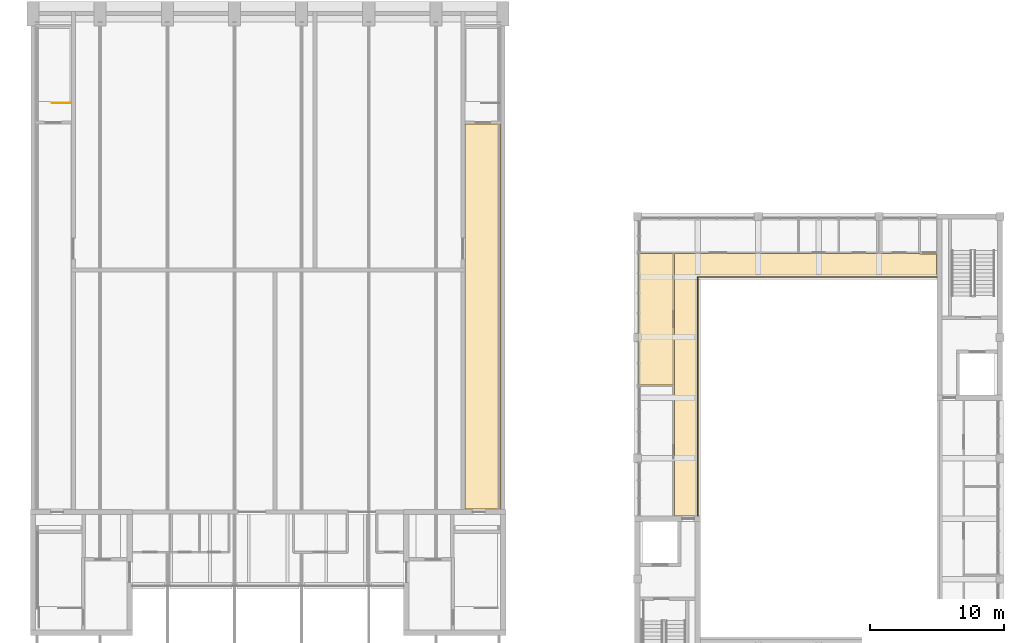
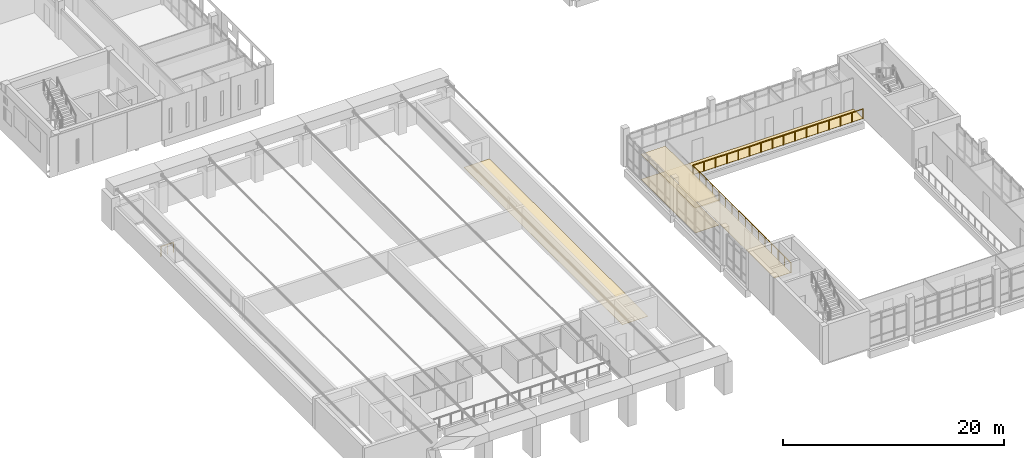
# One storey, part 71 of 92: 4 coverings, 2 railings.
"""IFC4 building model written with IfcOpenShell, lengths in metres."""

from ifc_helpers import new_model, si_unit, direction, frame, origin, origin_2d, place, context, subcontext, project, spatial, polyline, circle, outline, extrude, material, layer, layer_set, type_object, element, save


model = new_model("IFC4")

# Units and contexts
model_context = context("Model", 3, precision=1e-05, world=origin(), true_north=direction((0.0, 1.0)))
body_context = subcontext(model_context, "Body", "Model", "MODEL_VIEW")
ifc_project = project(units=[si_unit("LENGTHUNIT", "METRE"), si_unit("AREAUNIT", "SQUARE_METRE"), si_unit("VOLUMEUNIT", "CUBIC_METRE"), si_unit("PLANEANGLEUNIT", "RADIAN"), si_unit("MASSUNIT", "GRAM", prefix="KILO")], contexts=[model_context])

# Site, building, storey
site_placement = place(None, origin())
site = spatial("IfcSite", under=ifc_project, at=site_placement, CompositionType="ELEMENT")
building_placement = place(site_placement, origin())
building = spatial("IfcBuilding", under=site, at=building_placement, Name="Merrow Basin Faculty of Sciences", CompositionType="ELEMENT")
storey_placement = place(building_placement, frame((0.0, 0.0, 4.5)))
storey = spatial("IfcBuildingStorey", under=building, at=storey_placement, Name="L01", CompositionType="ELEMENT", Elevation=4.5)

# Coverings
ifc_material_1 = material(Name="Carpet tile floor")
ifc_layer_1 = layer(ifc_material_1, 0.02001953125)
ifc_layer_set_1 = layer_set([ifc_layer_1], Name="Carpet tile floor")
covering_type_1 = type_object("IfcCoveringType", Name="Carpet tile floor", PredefinedType="FLOORING", material=ifc_layer_set_1)
covering_1_placement = place(storey_placement, origin())
element("IfcCovering", 1, at=covering_1_placement, inside=storey, type_object=covering_type_1, Name="Floor finish L01-A-019", PredefinedType="FLOORING", context=body_context, shape_type="SweptSolid", body=[
    extrude(outline(polyline([(47.639892578125, 23.4599609375), (45.110107421875, 23.4599609375), (45.110107421875, 33.239990234375), (47.639892578125, 33.239990234375), (47.639892578125, 23.4599609375)])), origin(), (0.0, 0.0, 1.0), 0.02001953125),
])
covering_2_placement = place(storey_placement, origin())
element("IfcCovering", 2, at=covering_2_placement, inside=storey, type_object=covering_type_1, Name="Floor finish L01-A-020", PredefinedType="FLOORING", context=body_context, shape_type="SweptSolid", body=[
    extrude(outline(polyline([(49.489990234375, 31.510009765625), (49.489990234375, 13.7099609375), (47.760009765625, 13.7099609375), (47.760009765625, 33.239990234375), (65.989990234375, 33.239990234375), (65.989990234375, 33.215087890625), (67.2900390625, 33.215087890625), (67.2900390625, 31.510009765625), (49.489990234375, 31.510009765625)])), origin(), (0.0, 0.0, 1.0), 0.02001953125),
])
ifc_material_2 = material(Name="Polished terrazzo floor")
ifc_layer_2 = layer(ifc_material_2, 0.02001953125)
ifc_layer_set_2 = layer_set([ifc_layer_2], Name="Polished terrazzo floor")
covering_type_2 = type_object("IfcCoveringType", Name="Polished terrazzo floor", PredefinedType="FLOORING", material=ifc_layer_set_2)
covering_3_placement = place(storey_placement, origin())
element("IfcCovering", 3, at=covering_3_placement, inside=storey, type_object=covering_type_2, Name="Floor finish L01-H-011", PredefinedType="FLOORING", context=body_context, shape_type="SweptSolid", body=[
    extrude(outline(polyline([(34.840087890625, 42.889892578125), (34.840087890625, 14.2099609375), (32.159912109375, 14.2099609375), (32.159912109375, 42.889892578125), (34.840087890625, 42.889892578125)])), origin(), (0.0, 0.0, 1.0), 0.02001953125),
])

# Railings
ifc_material_3 = material(Name="Steel ASTM A36", Category="steel")
railing_type = type_object("IfcRailingType", Name="Steel guard 1100", PredefinedType="GUARDRAIL", material=ifc_material_3)
railing_1_placement = place(storey_placement, frame((2.75, 44.449951171875, 0.0)))
element("IfcRailing", 4, at=railing_1_placement, inside=storey, type_object=railing_type, Name="L01 ST-V1-NW top well guard 1", PredefinedType="GUARDRAIL", context=body_context, shape_type="SweptSolid", body=[
    extrude(circle(Radius=0.02392578125, at=origin_2d()), frame((0.0, 0.0, 1.076171875), z_axis=(-1.0, 0.0, 0.0), x_axis=(0.0, -1.0, 0.0)), (0.0, 0.0, 1.0), 1.35009765625),
    extrude(circle(Radius=0.02099609375, at=origin_2d()), origin(), (0.0, 0.0, 1.0), 1.052001953125),
    extrude(circle(Radius=0.02099609375, at=origin_2d()), frame((-0.675048828125, 0.0, 0.0)), (0.0, 0.0, 1.0), 1.052001953125),
    extrude(circle(Radius=0.02099609375, at=origin_2d()), frame((-1.35009765625, 0.0, 0.0)), (0.0, 0.0, 1.0), 1.052001953125),
])
railing_2_placement = place(storey_placement, frame((49.5, 13.699951171875, 0.0)))
element("IfcRailing", 5, at=railing_2_placement, inside=storey, type_object=railing_type, Name="Gallery guard L01", PredefinedType="GUARDRAIL", context=body_context, shape_type="SweptSolid", body=[
    extrude(circle(Radius=0.02392578125, at=origin_2d()), frame((0.0, 0.0, 1.076171875), z_axis=(0.0, 1.0, 0.0), x_axis=(-1.0, 0.0, 0.0)), (0.0, 0.0, 1.0), 17.800048828125),
    extrude(circle(Radius=0.02392578125, at=origin_2d()), frame((0.0, 17.800048828125, 1.076171875), z_axis=(1.0, 0.0, 0.0), x_axis=(0.0, 1.0, 0.0)), (0.0, 0.0, 1.0), 17.800048828125),
    extrude(circle(Radius=0.02099609375, at=origin_2d()), origin(), (0.0, 0.0, 1.0), 1.052001953125),
    extrude(circle(Radius=0.02099609375, at=origin_2d()), frame((0.0, 1.186767578125, 0.0)), (0.0, 0.0, 1.0), 1.052001953125),
    extrude(circle(Radius=0.02099609375, at=origin_2d()), frame((0.0, 2.373291015625, 0.0)), (0.0, 0.0, 1.0), 1.052001953125),
    extrude(circle(Radius=0.02099609375, at=origin_2d()), frame((0.0, 3.56005859375, 0.0)), (0.0, 0.0, 1.0), 1.052001953125),
    extrude(circle(Radius=0.02099609375, at=origin_2d()), frame((0.0, 4.74658203125, 0.0)), (0.0, 0.0, 1.0), 1.052001953125),
    extrude(circle(Radius=0.02099609375, at=origin_2d()), frame((0.0, 5.933349609375, 0.0)), (0.0, 0.0, 1.0), 1.052001953125),
    extrude(circle(Radius=0.02099609375, at=origin_2d()), frame((0.0, 7.1201171875, 0.0)), (0.0, 0.0, 1.0), 1.052001953125),
    extrude(circle(Radius=0.02099609375, at=origin_2d()), frame((0.0, 8.306640625, 0.0)), (0.0, 0.0, 1.0), 1.052001953125),
    extrude(circle(Radius=0.02099609375, at=origin_2d()), frame((0.0, 9.493408203125, 0.0)), (0.0, 0.0, 1.0), 1.052001953125),
    extrude(circle(Radius=0.02099609375, at=origin_2d()), frame((0.0, 10.679931640625, 0.0)), (0.0, 0.0, 1.0), 1.052001953125),
    extrude(circle(Radius=0.02099609375, at=origin_2d()), frame((0.0, 11.86669921875, 0.0)), (0.0, 0.0, 1.0), 1.052001953125),
    extrude(circle(Radius=0.02099609375, at=origin_2d()), frame((0.0, 13.053466796875, 0.0)), (0.0, 0.0, 1.0), 1.052001953125),
    extrude(circle(Radius=0.02099609375, at=origin_2d()), frame((0.0, 14.239990234375, 0.0)), (0.0, 0.0, 1.0), 1.052001953125),
    extrude(circle(Radius=0.02099609375, at=origin_2d()), frame((0.0, 15.4267578125, 0.0)), (0.0, 0.0, 1.0), 1.052001953125),
    extrude(circle(Radius=0.02099609375, at=origin_2d()), frame((0.0, 16.61328125, 0.0)), (0.0, 0.0, 1.0), 1.052001953125),
    extrude(circle(Radius=0.02099609375, at=origin_2d()), frame((0.0, 17.800048828125, 0.0)), (0.0, 0.0, 1.0), 1.052001953125),
    extrude(circle(Radius=0.02099609375, at=origin_2d()), frame((1.186767578125, 17.800048828125, 0.0)), (0.0, 0.0, 1.0), 1.052001953125),
    extrude(circle(Radius=0.02099609375, at=origin_2d()), frame((2.373291015625, 17.800048828125, 0.0)), (0.0, 0.0, 1.0), 1.052001953125),
    extrude(circle(Radius=0.02099609375, at=origin_2d()), frame((3.56005859375, 17.800048828125, 0.0)), (0.0, 0.0, 1.0), 1.052001953125),
    extrude(circle(Radius=0.02099609375, at=origin_2d()), frame((4.74658203125, 17.800048828125, 0.0)), (0.0, 0.0, 1.0), 1.052001953125),
    extrude(circle(Radius=0.02099609375, at=origin_2d()), frame((5.933349609375, 17.800048828125, 0.0)), (0.0, 0.0, 1.0), 1.052001953125),
    extrude(circle(Radius=0.02099609375, at=origin_2d()), frame((7.1201171875, 17.800048828125, 0.0)), (0.0, 0.0, 1.0), 1.052001953125),
    extrude(circle(Radius=0.02099609375, at=origin_2d()), frame((8.306640625, 17.800048828125, 0.0)), (0.0, 0.0, 1.0), 1.052001953125),
    extrude(circle(Radius=0.02099609375, at=origin_2d()), frame((9.493408203125, 17.800048828125, 0.0)), (0.0, 0.0, 1.0), 1.052001953125),
    extrude(circle(Radius=0.02099609375, at=origin_2d()), frame((10.679931640625, 17.800048828125, 0.0)), (0.0, 0.0, 1.0), 1.052001953125),
    extrude(circle(Radius=0.02099609375, at=origin_2d()), frame((11.86669921875, 17.800048828125, 0.0)), (0.0, 0.0, 1.0), 1.052001953125),
    extrude(circle(Radius=0.02099609375, at=origin_2d()), frame((13.053466796875, 17.800048828125, 0.0)), (0.0, 0.0, 1.0), 1.052001953125),
    extrude(circle(Radius=0.02099609375, at=origin_2d()), frame((14.239990234375, 17.800048828125, 0.0)), (0.0, 0.0, 1.0), 1.052001953125),
    extrude(circle(Radius=0.02099609375, at=origin_2d()), frame((15.4267578125, 17.800048828125, 0.0)), (0.0, 0.0, 1.0), 1.052001953125),
    extrude(circle(Radius=0.02099609375, at=origin_2d()), frame((16.61328125, 17.800048828125, 0.0)), (0.0, 0.0, 1.0), 1.052001953125),
    extrude(circle(Radius=0.02099609375, at=origin_2d()), frame((17.800048828125, 17.800048828125, 0.0)), (0.0, 0.0, 1.0), 1.052001953125),
])

# Covering
ifc_material_4 = material(Name="Mineral fibre ceiling tile")
ifc_layer_3 = layer(ifc_material_4, 0.050048828125)
ifc_layer_set_3 = layer_set([ifc_layer_3], Name="Suspended acoustic ceiling tile")
covering_type_3 = type_object("IfcCoveringType", Name="Suspended acoustic ceiling tile", PredefinedType="CEILING", material=ifc_layer_set_3)
covering_4_placement = place(storey_placement, frame((0.0, 0.0, 2.75)))
element("IfcCovering", 6, at=covering_4_placement, inside=storey, type_object=covering_type_3, Name="Ceiling L01-A-019", PredefinedType="CEILING", context=body_context, shape_type="SweptSolid", body=[
    extrude(outline(polyline([(47.64990234375, 23.449951171875), (45.10009765625, 23.449951171875), (45.10009765625, 33.25), (47.64990234375, 33.25), (47.64990234375, 23.449951171875)])), origin(), (0.0, 0.0, 1.0), 0.050048828125),
])

save(model, "model.ifc")
